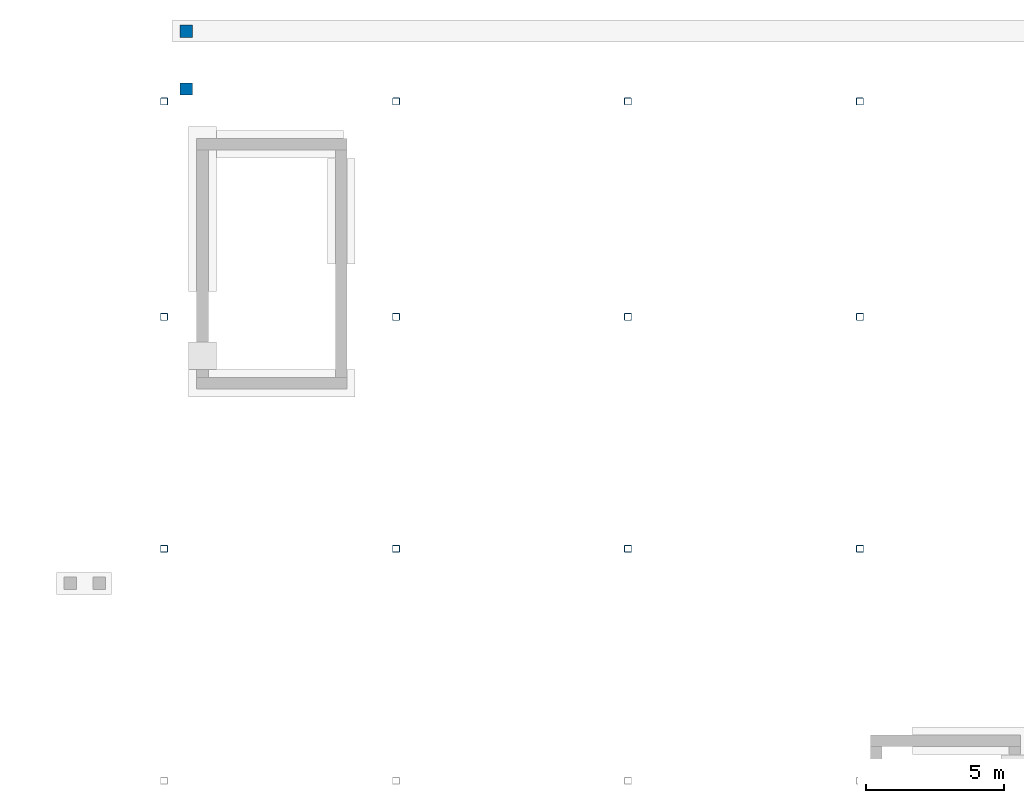
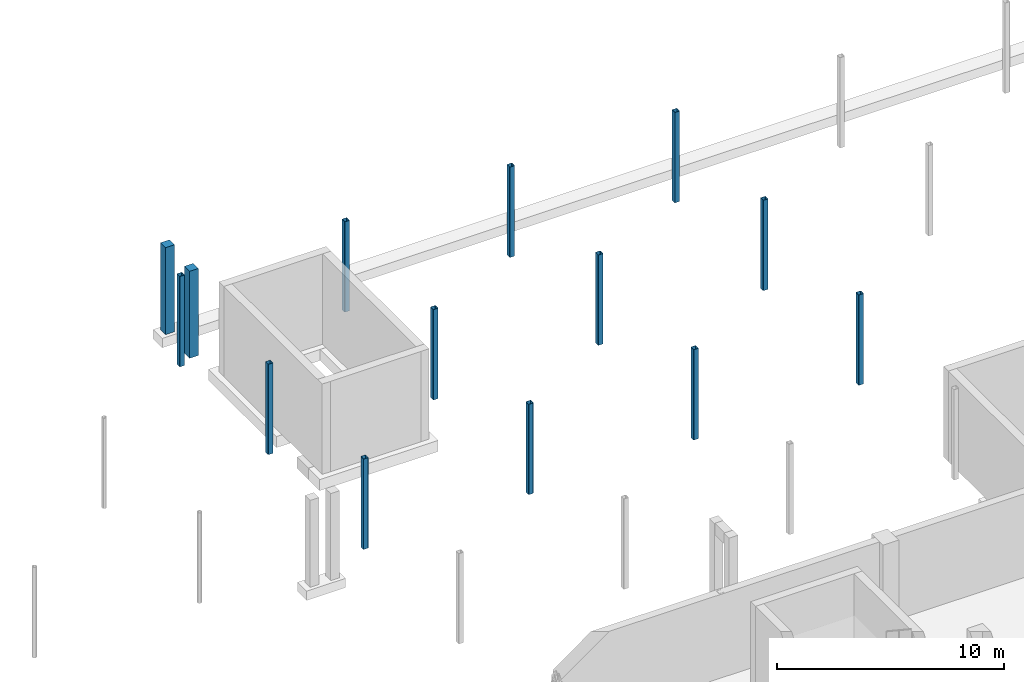
# One storey, part 26 of 39: 14 columns.
"""IFC4 building model written with IfcOpenShell, lengths in metres."""

from ifc_helpers import new_model, si_unit, derived_unit, direction, frame, origin, origin_2d, place, context, subcontext, project, spatial, rectangle, hollow_rectangle, extrude, material, material_profile, profile_set, type_object, element, save


model = new_model("IFC4")

# Units and contexts
model_context = context("Model", 3, precision=1e-05, world=origin(), true_north=direction((0.0, 1.0)))
body_context = subcontext(model_context, "Body", "Model", "MODEL_VIEW")
ifc_project = project(units=[si_unit("LENGTHUNIT", "METRE"), si_unit("AREAUNIT", "SQUARE_METRE"), si_unit("VOLUMEUNIT", "CUBIC_METRE"), si_unit("PLANEANGLEUNIT", "RADIAN"), si_unit("MASSUNIT", "GRAM", prefix="KILO"), derived_unit("THERMALTRANSMITTANCEUNIT", [(si_unit("POWERUNIT", "WATT"), 1), (si_unit("LENGTHUNIT", "METRE"), -2), (si_unit("THERMODYNAMICTEMPERATUREUNIT", "KELVIN"), -1)])], contexts=[model_context])

# Site, building, storey
site_placement = place(None, origin())
site = spatial("IfcSite", under=ifc_project, at=site_placement, CompositionType="ELEMENT")
building_placement = place(site_placement, origin())
building = spatial("IfcBuilding", under=site, at=building_placement, Name="Barrovel Congress Hotel", CompositionType="ELEMENT")
storey_placement = place(building_placement, frame((0.0, 0.0, -4.5)))
storey = spatial("IfcBuildingStorey", under=building, at=storey_placement, Name="B01", CompositionType="ELEMENT", Elevation=-4.5)

# Columns
ifc_material_1 = material(Name="Concrete C40", Category="concrete")
ifc_material_profile_1 = material_profile(ifc_material_1, rectangle(XDim=0.449951171875, YDim=0.449951171875, at=origin_2d()), Name="RC450x450")
ifc_profile_set_1 = profile_set([ifc_material_profile_1], Name="Concrete C40")
column_type_1 = type_object("IfcColumnType", Name="COL-RC450x450", PredefinedType="COLUMN", material=ifc_profile_set_1)
for number, where, z_axis, x_axis, name in (
    (1, (126.800048828125, 113.25, -0.360107421875), (0.0, 0.0, 1.0), (1.0, 0.0, 0.0), "COL:PAV-NORTH-SPA:1"),
    (2, (126.800048828125, 115.35009765625, -0.360107421875), (0.0, 0.0, 1.0), (1.0, 0.0, 0.0), "COL:PAV-NORTH-SPA:4"),
):
    element("IfcColumn", number, at=place(storey_placement, frame(where, z_axis=z_axis, x_axis=x_axis)), inside=storey, type_object=column_type_1, Name=name, PredefinedType="COLUMN", context=body_context, shape_type="SweptSolid", body=[
        extrude(rectangle(XDim=0.449951171875, YDim=0.449951171875, at=origin_2d()), origin(), (0.0, 0.0, 1.0), 4.68017578125),
    ])
ifc_material_2 = material(Name="Steel ASTM A500 Grade C", Category="steel")
ifc_material_profile_2 = material_profile(ifc_material_2, hollow_rectangle(XDim=0.25390625, YDim=0.25390625, WallThickness=0.01171875, InnerFilletRadius=0.01171875, OuterFilletRadius=0.023681640625, at=origin_2d()), Name="HSS254x254x12.7")
ifc_profile_set_2 = profile_set([ifc_material_profile_2], Name="Steel ASTM A500 Grade C")
column_type_2 = type_object("IfcColumnType", Name="SCOL-HSS254x254x12.7", PredefinedType="COLUMN", material=ifc_profile_set_2)
for number, where, z_axis, x_axis, name in (
    (3, (126.0, 96.60009765625, -0.360107421875), (0.0, 0.0, 1.0), (1.0, 0.0, 0.0), "COL:B01:126.0:96.6"),
    (4, (126.0, 105.0, -0.360107421875), (0.0, 0.0, 1.0), (1.0, 0.0, 0.0), "COL:B01:126.0:105.0"),
    (5, (126.0, 112.800048828125, -0.360107421875), (0.0, 0.0, 1.0), (1.0, 0.0, 0.0), "COL:B01:126.0:112.8"),
    (6, (134.39990234375, 96.60009765625, -0.360107421875), (0.0, 0.0, 1.0), (1.0, 0.0, 0.0), "COL:B01:134.4:96.6"),
    (7, (134.39990234375, 105.0, -0.360107421875), (0.0, 0.0, 1.0), (1.0, 0.0, 0.0), "COL:B01:134.4:105.0"),
    (8, (134.39990234375, 112.800048828125, -0.360107421875), (0.0, 0.0, 1.0), (1.0, 0.0, 0.0), "COL:B01:134.4:112.8"),
    (9, (142.800048828125, 96.60009765625, -0.360107421875), (0.0, 0.0, 1.0), (1.0, 0.0, 0.0), "COL:B01:142.8:96.6"),
    (10, (142.800048828125, 105.0, -0.360107421875), (0.0, 0.0, 1.0), (1.0, 0.0, 0.0), "COL:B01:142.8:105.0"),
    (11, (142.800048828125, 112.800048828125, -0.360107421875), (0.0, 0.0, 1.0), (1.0, 0.0, 0.0), "COL:B01:142.8:112.8"),
    (12, (151.199951171875, 96.60009765625, -0.360107421875), (0.0, 0.0, 1.0), (1.0, 0.0, 0.0), "COL:B01:151.2:96.6"),
    (13, (151.199951171875, 105.0, -0.360107421875), (0.0, 0.0, 1.0), (1.0, 0.0, 0.0), "COL:B01:151.2:105.0"),
    (14, (151.199951171875, 112.800048828125, -0.360107421875), (0.0, 0.0, 1.0), (1.0, 0.0, 0.0), "COL:B01:151.2:112.8"),
):
    element("IfcColumn", number, at=place(storey_placement, frame(where, z_axis=z_axis, x_axis=x_axis)), inside=storey, type_object=column_type_2, Name=name, PredefinedType="COLUMN", context=body_context, shape_type="SweptSolid", body=[
        extrude(hollow_rectangle(XDim=0.25390625, YDim=0.25390625, WallThickness=0.01171875, InnerFilletRadius=0.01171875, OuterFilletRadius=0.023681640625, at=origin_2d()), origin(), (0.0, 0.0, 1.0), 4.860107421875),
    ])

save(model, "model.ifc")
